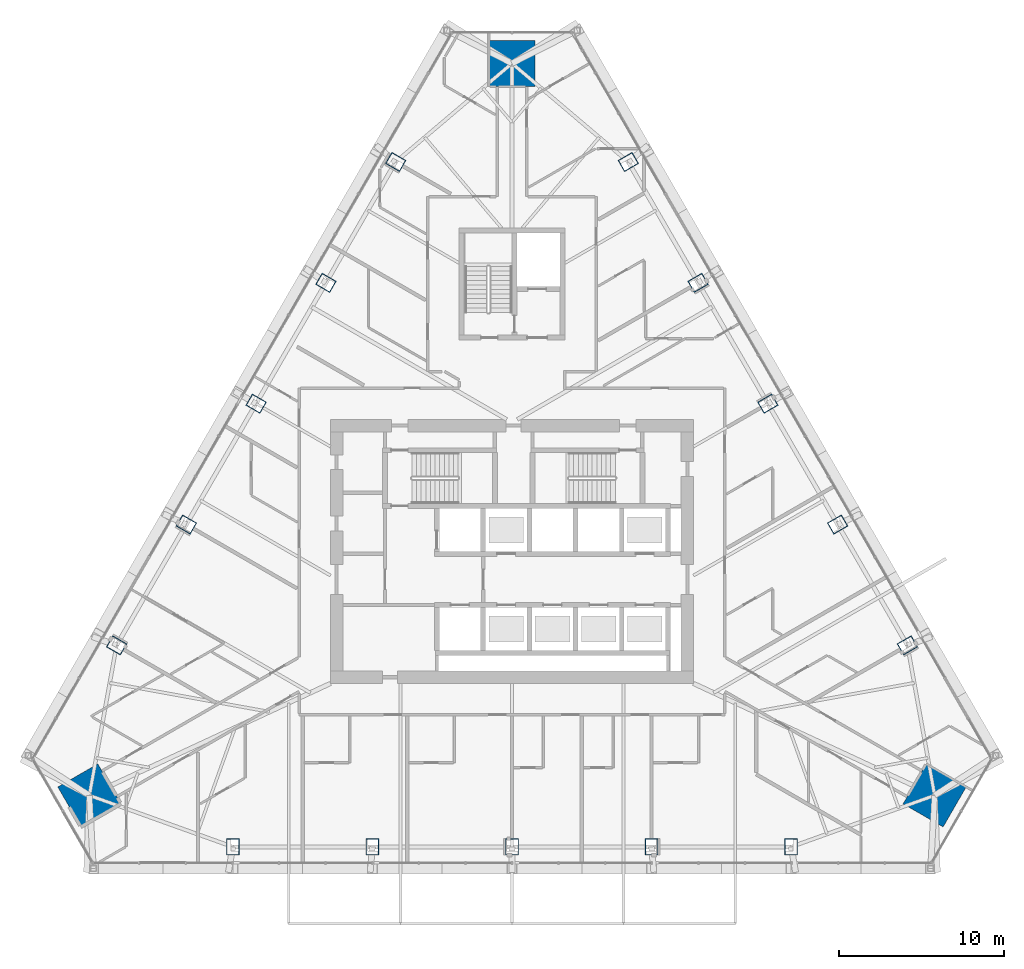
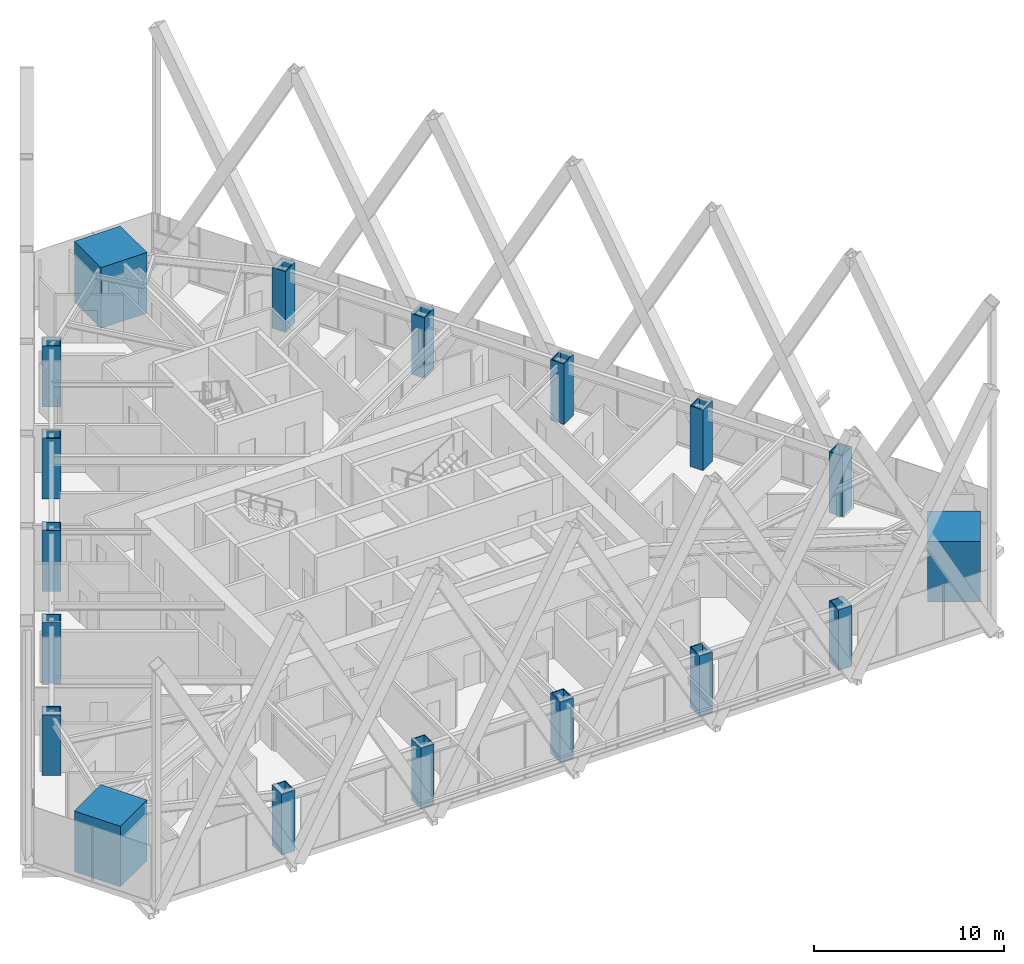
# One storey, part 1 of 19: 18 columns.
"""IFC4 building model written with IfcOpenShell, lengths in metres."""

from ifc_helpers import new_model, si_unit, direction, frame, origin, origin_2d, place, context, subcontext, project, spatial, rectangle, hollow_rectangle, extrude, material, material_profile, profile_set, type_object, element, save


model = new_model("IFC4")

# Units and contexts
model_context = context("Model", 3, precision=1e-05, world=origin(), true_north=direction((0.0, 1.0)))
body_context = subcontext(model_context, "Body", "Model", "MODEL_VIEW")
ifc_project = project(units=[si_unit("LENGTHUNIT", "METRE"), si_unit("AREAUNIT", "SQUARE_METRE"), si_unit("VOLUMEUNIT", "CUBIC_METRE"), si_unit("PLANEANGLEUNIT", "RADIAN"), si_unit("MASSUNIT", "GRAM", prefix="KILO")], contexts=[model_context])

# Site, building, storey
site_placement = place(None, origin())
site = spatial("IfcSite", under=ifc_project, at=site_placement, CompositionType="ELEMENT")
building_placement = place(site_placement, origin())
building = spatial("IfcBuilding", under=site, at=building_placement, Name="Firuza Gate Tower and Library", CompositionType="ELEMENT")
storey_placement = place(building_placement, frame((0.0, 0.0, 218.199951171875)))
storey = spatial("IfcBuildingStorey", under=building, at=storey_placement, Name="L51", CompositionType="ELEMENT", Elevation=218.199951171875)

# Columns
ifc_material_1 = material(Name="Steel S355", Category="steel")
ifc_material_profile_1 = material_profile(ifc_material_1, hollow_rectangle(XDim=0.800048828125, YDim=1.0, WallThickness=0.050048828125, at=origin_2d()))
ifc_profile_set_1 = profile_set([ifc_material_profile_1], Name="Steel S355")
column_type_1 = type_object("IfcColumnType", Name="BU1000x800x50 Composite box column", PredefinedType="COLUMN", material=ifc_profile_set_1)
for number, where, z_axis, x_axis, name in (
    (1, (58.088623046875, 57.097412109375, -0.000244140625), (0.0, 0.0, 1.0), (1.0, 0.0, 0.0), "Column S1 L51"),
    (2, (66.54443359375, 57.097412109375, -0.000244140625), (0.0, 0.0, 1.0), (1.0, 0.0, 0.0), "Column S2 L51"),
    (3, (75.0, 57.097412109375, -0.000244140625), (0.0, 0.0, 1.0), (1.0, 0.0, 0.0), "Column S3 L51"),
    (4, (83.45556640625, 57.097412109375, -0.000244140625), (0.0, 0.0, 1.0), (1.0, 0.0, 0.0), "Column S4 L51"),
    (5, (91.911376953125, 57.097412109375, -0.000244140625), (0.0, 0.0, 1.0), (1.0, 0.0, 0.0), "Column S5 L51"),
    (6, (98.959716796875, 69.3056640625, -0.000244140625), (0.0, 0.0, 1.0), (-0.5, 0.866025403784, 0.0), "Column E1 L51"),
    (7, (94.73193359375, 76.62841796875, -0.000244140625), (0.0, 0.0, 1.0), (-0.5, 0.866025403784, 0.0), "Column E2 L51"),
    (8, (90.504150390625, 83.951171875, -0.000244140625), (0.0, 0.0, 1.0), (-0.5, 0.866025403784, 0.0), "Column E3 L51"),
    (9, (86.276123046875, 91.274169921875, -0.000244140625), (0.0, 0.0, 1.0), (-0.5, 0.866025403784, 0.0), "Column E4 L51"),
    (10, (82.04833984375, 98.596923828125, -0.000244140625), (0.0, 0.0, 1.0), (-0.5, 0.866025403784, 0.0), "Column E5 L51"),
    (11, (67.95166015625, 98.596923828125, -0.000244140625), (0.0, 0.0, 1.0), (-0.5, -0.866025403784, 0.0), "Column W1 L51"),
    (12, (63.723876953125, 91.274169921875, -0.000244140625), (0.0, 0.0, 1.0), (-0.5, -0.866025403784, 0.0), "Column W2 L51"),
    (13, (59.495849609375, 83.951171875, -0.000244140625), (0.0, 0.0, 1.0), (-0.5, -0.866025403784, 0.0), "Column W3 L51"),
    (14, (55.26806640625, 76.62841796875, -0.000244140625), (0.0, 0.0, 1.0), (-0.5, -0.866025403784, 0.0), "Column W4 L51"),
    (15, (51.040283203125, 69.3056640625, -0.000244140625), (0.0, 0.0, 1.0), (-0.5, -0.866025403784, 0.0), "Column W5 L51"),
):
    element("IfcColumn", number, at=place(storey_placement, frame(where, z_axis=z_axis, x_axis=x_axis)), inside=storey, type_object=column_type_1, Name=name, PredefinedType="COLUMN", context=body_context, shape_type="SweptSolid", body=[
        extrude(hollow_rectangle(XDim=0.800048828125, YDim=1.0, WallThickness=0.050048828125, at=origin_2d()), origin(), (0.0, 0.0, 1.0), 3.900390625),
    ])
ifc_material_2 = material(Name="Concrete C80/95", Category="concrete")
ifc_material_profile_2 = material_profile(ifc_material_2, rectangle(XDim=2.800048828125, YDim=2.800048828125, at=origin_2d()))
ifc_profile_set_2 = profile_set([ifc_material_profile_2], Name="Concrete C80/95")
column_type_2 = type_object("IfcColumnType", Name="Mega column 2800x2800 C80/95", PredefinedType="COLUMN", material=ifc_profile_set_2)
for number, where, z_axis, x_axis, name in (
    (16, (100.608154296875, 60.215087890625, 0.0), (0.0, 0.0, 1.0), (0.5, 0.866025403784, 0.0), "Mega column SE L51"),
    (17, (75.0, 104.56982421875, 0.0), (0.0, 0.0, 1.0), (-1.0, 0.0, 0.0), "Mega column N L51"),
    (18, (49.391845703125, 60.215087890625, 0.0), (0.0, 0.0, 1.0), (0.5, -0.866025403784, 0.0), "Mega column SW L51"),
):
    element("IfcColumn", number, at=place(storey_placement, frame(where, z_axis=z_axis, x_axis=x_axis)), inside=storey, type_object=column_type_2, Name=name, PredefinedType="COLUMN", context=body_context, shape_type="SweptSolid", body=[
        extrude(rectangle(XDim=2.800048828125, YDim=2.800048828125, at=origin_2d()), origin(), (0.0, 0.0, 1.0), 3.900146484375),
    ])

save(model, "model.ifc")
